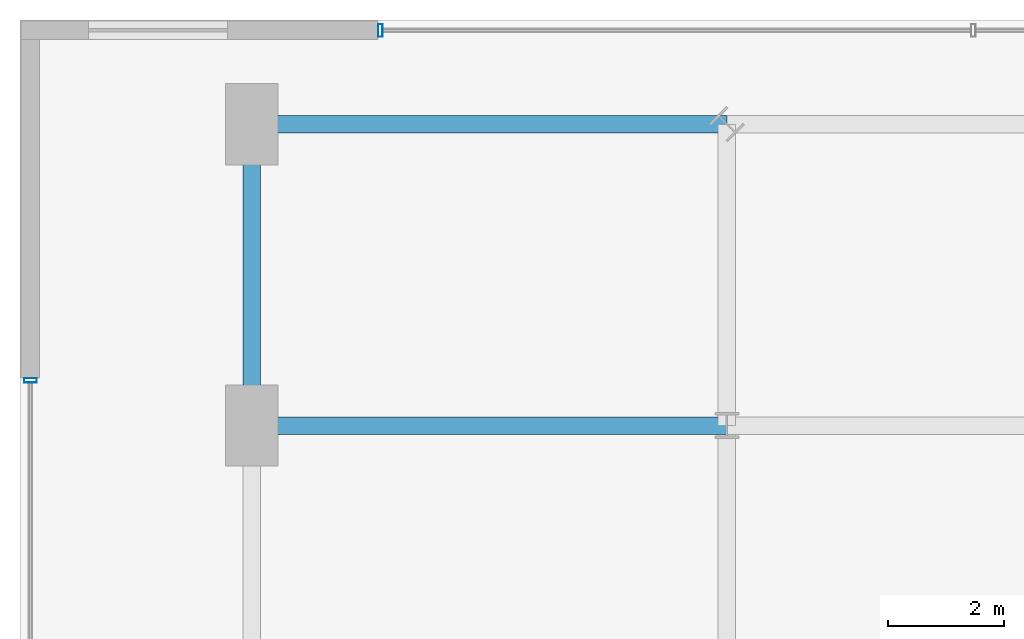
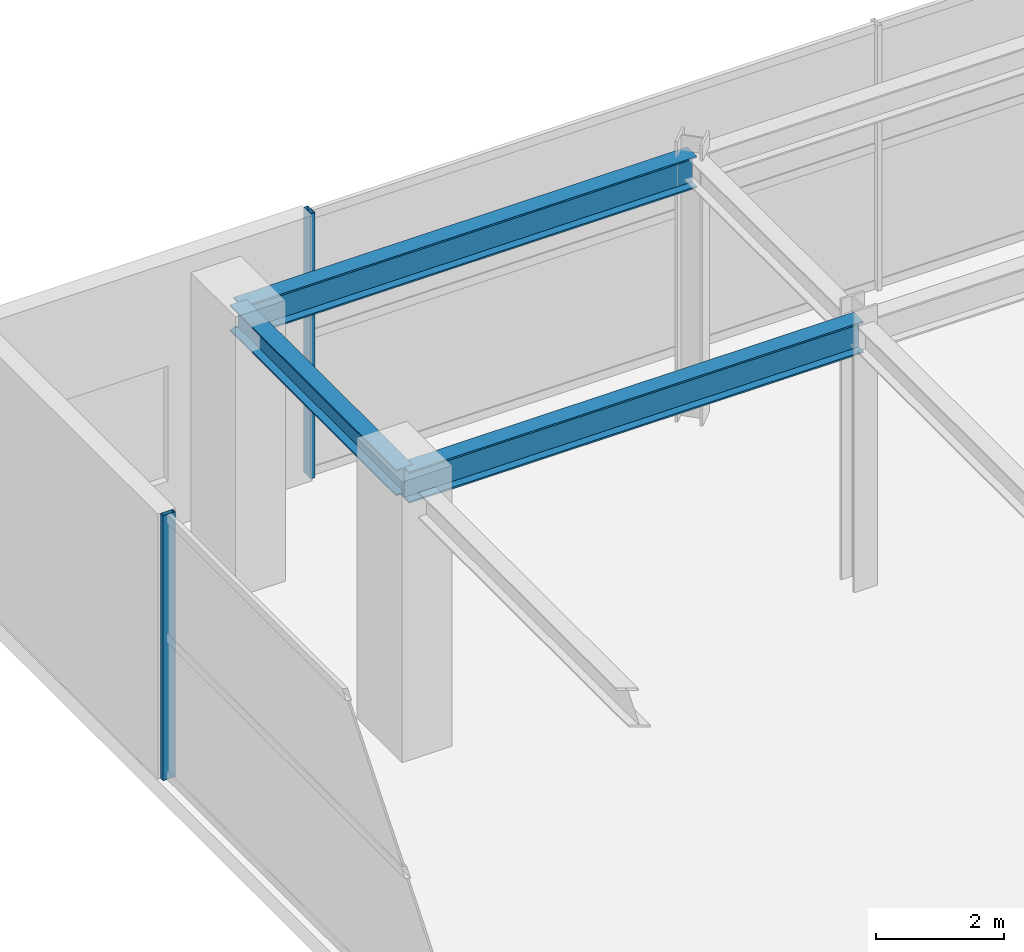
# One storey, part 14 of 32: 3 beams, 2 members, 2 elements without a shape of their own.
"""IFC4 building model written with IfcOpenShell, lengths in metres."""

from ifc_helpers import new_model, si_unit, direction, frame, origin, origin_2d, place, context, subcontext, project, spatial, hollow_rectangle, i_section, extrude, source, transform, mapped, material, material_profile, profile_set, type_object, element, aggregate, save


model = new_model("IFC4")

# Units and contexts
model_context = context("Model", 3, precision=1e-05, world=origin(), true_north=direction((0.0, 1.0)))
body_context = subcontext(model_context, "Body", "Model", "MODEL_VIEW")
ifc_project = project(units=[si_unit("LENGTHUNIT", "METRE"), si_unit("AREAUNIT", "SQUARE_METRE"), si_unit("VOLUMEUNIT", "CUBIC_METRE"), si_unit("PLANEANGLEUNIT", "RADIAN"), si_unit("MASSUNIT", "GRAM", prefix="KILO")], contexts=[model_context])

# Site, building, storey
site_placement = place(None, origin())
site = spatial("IfcSite", under=ifc_project, at=site_placement, CompositionType="ELEMENT")
building_placement = place(site_placement, origin())
building = spatial("IfcBuilding", under=site, at=building_placement, Name="Nahalor Promenade Grand Hotel", CompositionType="ELEMENT")
storey_placement = place(building_placement, frame((0.0, 0.0, 10.800048828125)))
storey = spatial("IfcBuildingStorey", under=building, at=storey_placement, Name="L02", CompositionType="ELEMENT", Elevation=10.800048828125)

# Beams
ifc_material_1 = material(Name="Steel S355JR", Category="steel")
ifc_material_profile_1 = material_profile(ifc_material_1, i_section(OverallWidth=0.3, OverallDepth=0.6, WebThickness=0.0155, FlangeThickness=0.03, at=origin_2d()), Name="HEB 600")
ifc_profile_set_1 = profile_set([ifc_material_profile_1], Name="Steel S355JR")
beam_type_1 = type_object("IfcBeamType", Name="Beam-Girder-HEB600", PredefinedType="BEAM", material=ifc_profile_set_1)
shared_shape_1 = source(origin(), body_context, "Body", "SweptSolid", [
    extrude(i_section(OverallWidth=0.3, OverallDepth=0.6, WebThickness=0.0155, FlangeThickness=0.03, at=origin_2d()), origin(), (0.0, 0.0, 1.0), 8.199951171875),
])
for number, where, z_axis, x_axis, name in (
    (1, (-33.0, 17.0, 4.760009765625), (1.0, 0.0, 0.0), (0.0, 1.0, 0.0), "BM-L02-GX-3-0"),
    (2, (-24.800048828125, 22.199951171875, 4.760009765625), (-1.0, 0.0, 0.0), (0.0, -1.0, 0.0), "BM-L02-TIE-PW-+22"),
):
    element("IfcBeam", number, at=place(storey_placement, frame(where, z_axis=z_axis, x_axis=x_axis)), inside=storey, type_object=beam_type_1, Name=name, PredefinedType="BEAM", context=body_context, shape_type="MappedRepresentation", body=[
        mapped(shared_shape_1, transform((0.0, 0.0, 0.0), scale=1.0)),
    ])
ifc_material_profile_2 = material_profile(ifc_material_1, i_section(OverallWidth=0.3, OverallDepth=0.5, WebThickness=0.0145, FlangeThickness=0.028, at=origin_2d()), Name="HEB 500")
ifc_profile_set_2 = profile_set([ifc_material_profile_2], Name="Steel S355JR")
beam_type_2 = type_object("IfcBeamType", Name="Beam-Spandrel-HEB500", PredefinedType="SPANDREL", material=ifc_profile_set_2)
shared_shape_2 = source(origin(), body_context, "Body", "SweptSolid", [
    extrude(i_section(OverallWidth=0.3, OverallDepth=0.5, WebThickness=0.0145, FlangeThickness=0.028, at=origin_2d()), origin(), (0.0, 0.0, 1.0), 5.199951171875),
])
beam_placement = place(storey_placement, frame((-33.0, 17.0, 4.81005859375), z_axis=(0.0, 1.0, 0.0), x_axis=(-1.0, 0.0, 0.0)))
element("IfcBeam", 3, at=beam_placement, inside=storey, type_object=beam_type_2, Name="BM-L02-PW-3", PredefinedType="SPANDREL", context=body_context, shape_type="MappedRepresentation", body=[
    mapped(shared_shape_2, transform((0.0, 0.0, 0.0), scale=1.0)),
])

# Curtain wall, member
ifc_material_2 = material(Name="Anodised Bronze Aluminium EN AW-6063 T6", Category="aluminium")
curtain_wall_type = type_object("IfcCurtainWallType", Name="CW1 Waterfront Podium Bronze Arcade Curtain Wall", PredefinedType="USERDEFINED", material=ifc_material_2)
curtain_wall_1_placement = place(storey_placement, origin())
curtain_wall_1 = element("IfcCurtainWall", 4, at=curtain_wall_1_placement, inside=storey, type_object=curtain_wall_type, Name="L02 Curtain Wall CW-L02-N", ObjectType="UNITISED_CURTAIN_WALL", PredefinedType="USERDEFINED")
ifc_material_profile_3 = material_profile(ifc_material_2, hollow_rectangle(XDim=0.08, YDim=0.22, WallThickness=0.005, at=origin_2d()), Name="CWM 80x220x5")
ifc_profile_set_3 = profile_set([ifc_material_profile_3], Name="Anodised Bronze Aluminium EN AW-6063 T6")
member_type = type_object("IfcMemberType", Name="CWM1 Podium Bronze Mullion 80x220", PredefinedType="MULLION", material=ifc_profile_set_3)
shared_shape_3 = source(origin(), body_context, "Body", "SweptSolid", [
    extrude(hollow_rectangle(XDim=0.08, YDim=0.22, WallThickness=0.005, at=origin_2d()), origin(), (0.0, 0.0, 1.0), 5.06005859375),
])
member_1_placement = place(storey_placement, frame((-30.780029296875, 23.820068359375, 0.0), z_axis=(0.0, 0.0, 1.0), x_axis=(1.0, 0.0, 0.0)))
member_1 = element("IfcMember", 5, at=member_1_placement, type_object=member_type, Name="CW-L02-N Mullion 0", PredefinedType="MULLION", context=body_context, shape_type="MappedRepresentation", body=[
    mapped(shared_shape_3, transform((0.0, 0.0, 0.0), scale=1.0)),
])
aggregate(curtain_wall_1, [member_1])

curtain_wall_2_placement = place(storey_placement, origin())
curtain_wall_2 = element("IfcCurtainWall", 6, at=curtain_wall_2_placement, inside=storey, type_object=curtain_wall_type, Name="L02 Curtain Wall CW-L02-W", ObjectType="UNITISED_CURTAIN_WALL", PredefinedType="USERDEFINED")
member_2_placement = place(storey_placement, frame((-36.820068359375, 17.780029296875, 0.0), z_axis=(0.0, 0.0, 1.0), x_axis=(0.0, 1.0, 0.0)))
member_2 = element("IfcMember", 7, at=member_2_placement, type_object=member_type, Name="CW-L02-W Mullion 3", PredefinedType="MULLION", context=body_context, shape_type="MappedRepresentation", body=[
    mapped(shared_shape_3, transform((0.0, 0.0, 0.0), scale=1.0)),
])
aggregate(curtain_wall_2, [member_2])

save(model, "model.ifc")
